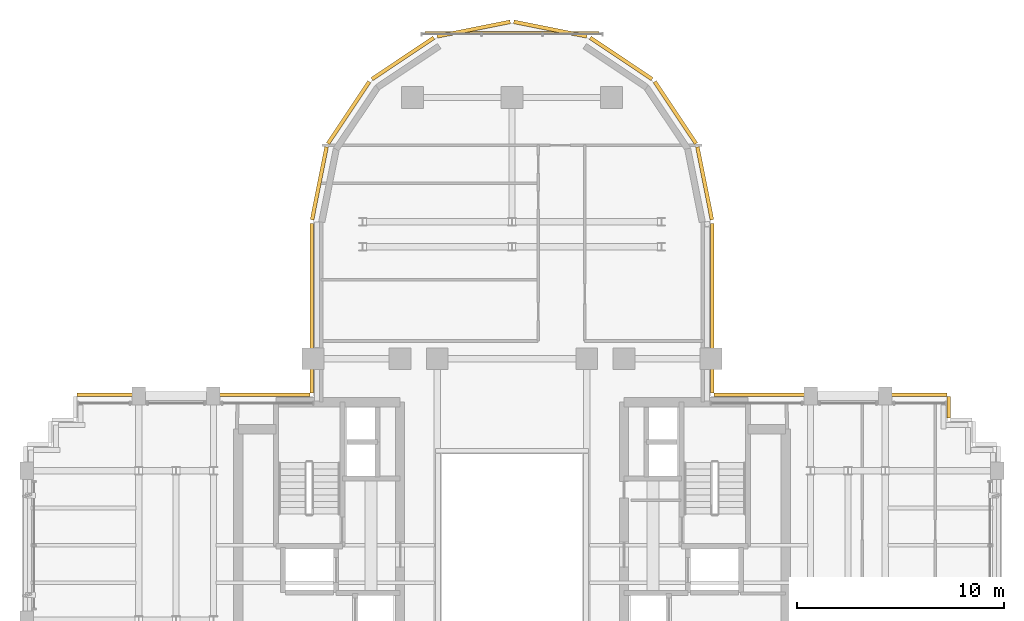
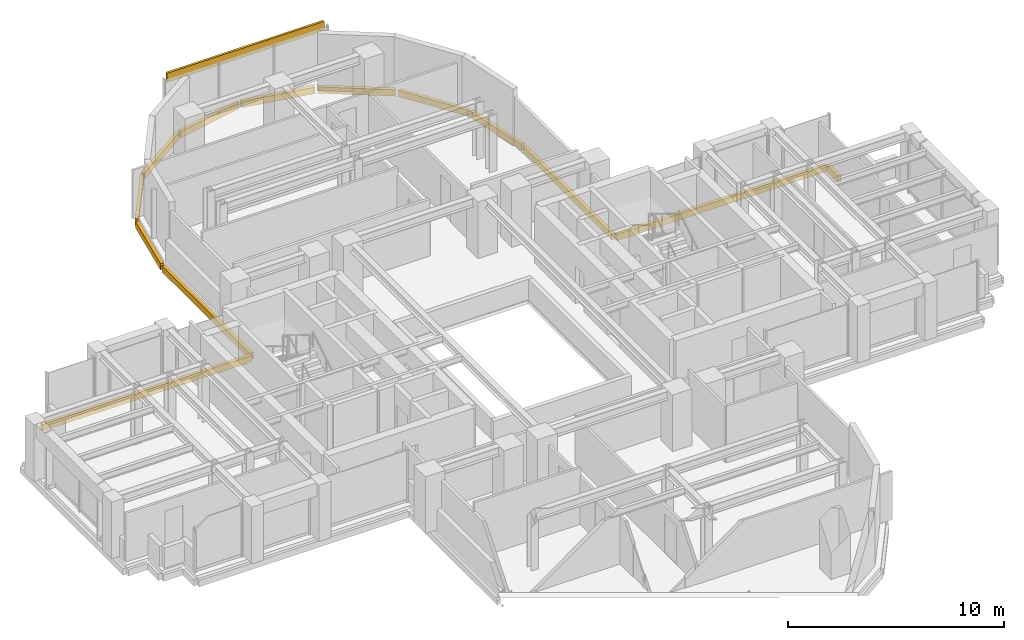
# One storey, part 14 of 14: 14 coverings.
"""IFC4 building model written with IfcOpenShell, lengths in metres."""

from ifc_helpers import new_model, si_unit, direction, frame, origin, origin_2d, place, context, subcontext, project, spatial, rectangle, extrude, source, transform, mapped, material, layer, layer_set, type_object, element, save


model = new_model("IFC4")

# Units and contexts
model_context = context("Model", 3, precision=1e-05, world=origin(), true_north=direction((0.0, 1.0)))
body_context = subcontext(model_context, "Body", "Model", "MODEL_VIEW")
ifc_project = project(units=[si_unit("LENGTHUNIT", "METRE"), si_unit("AREAUNIT", "SQUARE_METRE"), si_unit("VOLUMEUNIT", "CUBIC_METRE"), si_unit("PLANEANGLEUNIT", "RADIAN"), si_unit("MASSUNIT", "GRAM", prefix="KILO")], contexts=[model_context])

# Site, building, storey
site_placement = place(None, origin())
site = spatial("IfcSite", under=ifc_project, at=site_placement, CompositionType="ELEMENT")
building_placement = place(site_placement, origin())
building = spatial("IfcBuilding", under=site, at=building_placement, Name="Keilestroom Media Tower", CompositionType="ELEMENT")
storey_placement = place(building_placement, frame((0.0, 0.0, 134.60009765625)))
storey = spatial("IfcBuildingStorey", under=building, at=storey_placement, Name="L36", CompositionType="ELEMENT", Elevation=134.60009765625)

# Coverings
ifc_material = material(Name="Precast concrete C40/50", Category="concrete")
ifc_layer = layer(ifc_material, 0.1201171875)
ifc_layer_set = layer_set([ifc_layer], Name="Precast concrete C40/50")
covering_type = type_object("IfcCoveringType", Name="Exterior-Precast-Spandrel-Cladding-Panel-120", PredefinedType="CLADDING", material=ifc_layer_set)
shared_shape_1 = source(origin(), body_context, "Body", "SweptSolid", [
    extrude(rectangle(XDim=8.39990234375, YDim=0.1201171875, at=origin_2d()), origin(), (0.0, 0.0, 1.0), 0.52001953125),
])
covering_1_placement = place(storey_placement, frame((0.0, 24.719970703125, 2.68994140625), z_axis=(0.0, 0.0, 1.0), x_axis=(1.0, 0.0, 0.0)))
element("IfcCovering", 1, at=covering_1_placement, inside=storey, type_object=covering_type, Name="L36 Precast Spandrel Cladding N", PredefinedType="CLADDING", context=body_context, shape_type="MappedRepresentation", body=[
    mapped(shared_shape_1, transform((0.0, 0.0, 0.0), x_axis=(1.0, 0.0, 0.0), y_axis=(0.0, 1.0, 0.0), z_axis=(0.0, 0.0, 1.0), scale=1.0)),
])
shared_shape_2 = source(origin(), body_context, "Body", "SweptSolid", [
    extrude(rectangle(XDim=1.02001953125, YDim=0.179931640625, at=origin_2d()), origin(), (0.0, 0.0, 1.0), 0.360107421875),
])
covering_2_placement = place(storey_placement, frame((21.06005859375, 6.659912109375, -0.5400390625), z_axis=(0.0, 0.0, 1.0), x_axis=(0.0, -1.0, 0.0)))
element("IfcCovering", 2, at=covering_2_placement, inside=storey, type_object=covering_type, Name="L36 Precast Slab-Edge Fascia Cornice 38", PredefinedType="CLADDING", context=body_context, shape_type="MappedRepresentation", body=[
    mapped(shared_shape_2, transform((0.0, 0.0, 0.0), x_axis=(1.0, 0.0, 0.0), y_axis=(0.0, 1.0, 0.0), z_axis=(0.0, 0.0, 1.0), scale=1.0)),
])
shared_shape_3 = source(origin(), body_context, "Body", "SweptSolid", [
    extrude(rectangle(XDim=8.166015625, YDim=0.179931640625, at=origin_2d()), origin(), (0.0, 0.0, 1.0), 0.360107421875),
])
for number, where, z_axis, x_axis, name in (
    (3, (-9.659912109375, 11.43310546875, -0.5400390625), (0.0, 0.0, 1.0), (0.0, 1.0, 0.0), "L36 Precast Slab-Edge Fascia Cornice 27"),
    (4, (9.659912109375, 11.43310546875, -0.5400390625), (0.0, 0.0, 1.0), (0.0, -1.0, 0.0), "L36 Precast Slab-Edge Fascia Cornice 36"),
):
    element("IfcCovering", number, at=place(storey_placement, frame(where, z_axis=z_axis, x_axis=x_axis)), inside=storey, type_object=covering_type, Name=name, PredefinedType="CLADDING", context=body_context, shape_type="MappedRepresentation", body=[
        mapped(shared_shape_3, transform((0.0, 0.0, 0.0), x_axis=(1.0, 0.0, 0.0), y_axis=(0.0, 1.0, 0.0), z_axis=(0.0, 0.0, 1.0), scale=1.0)),
    ])
shared_shape_4 = source(origin(), body_context, "Body", "SweptSolid", [
    extrude(rectangle(XDim=3.58349609375, YDim=0.179931640625, at=origin_2d()), origin(), (0.0, 0.0, 1.0), 0.360107421875),
])
for number, where, z_axis, x_axis, name in (
    (5, (-9.29296875, 17.45166015625, -0.5400390625), (0.0, 0.0, 1.0), (0.195098880975, 0.980783577882, 0.0), "L36 Precast Slab-Edge Fascia Cornice 28"),
    (6, (9.29296875, 17.45166015625, -0.5400390625), (0.0, 0.0, 1.0), (0.195098880975, -0.980783577882, 0.0), "L36 Precast Slab-Edge Fascia Cornice 35"),
):
    element("IfcCovering", number, at=place(storey_placement, frame(where, z_axis=z_axis, x_axis=x_axis)), inside=storey, type_object=covering_type, Name=name, PredefinedType="CLADDING", context=body_context, shape_type="MappedRepresentation", body=[
        mapped(shared_shape_4, transform((0.0, 0.0, 0.0), x_axis=(1.0, 0.0, 0.0), y_axis=(0.0, 1.0, 0.0), z_axis=(0.0, 0.0, 1.0), scale=1.0)),
    ])
shared_shape_5 = source(origin(), body_context, "Body", "SweptSolid", [
    extrude(rectangle(XDim=3.589599609375, YDim=0.179931640625, at=origin_2d()), origin(), (0.0, 0.0, 1.0), 0.360107421875),
])
for number, where, z_axis, x_axis, name in (
    (7, (-7.878662109375, 20.8642578125, -0.5400390625), (0.0, 0.0, 1.0), (0.555574586577, 0.831466703332, 0.0), "L36 Precast Slab-Edge Fascia Cornice 29"),
    (8, (-5.264404296875, 23.478515625, -0.5400390625), (0.0, 0.0, 1.0), (0.831466703332, 0.555574586577, 0.0), "L36 Precast Slab-Edge Fascia Cornice 30"),
    (9, (-1.8486328125, 24.893310546875, -0.5400390625), (0.0, 0.0, 1.0), (0.980783577882, 0.195098880975, 0.0), "L36 Precast Slab-Edge Fascia Cornice 31"),
    (10, (1.8486328125, 24.893310546875, -0.5400390625), (0.0, 0.0, 1.0), (0.980783577882, -0.195098880975, 0.0), "L36 Precast Slab-Edge Fascia Cornice 32"),
    (11, (5.264404296875, 23.478515625, -0.5400390625), (0.0, 0.0, 1.0), (0.831466703332, -0.555574586577, 0.0), "L36 Precast Slab-Edge Fascia Cornice 33"),
    (12, (7.878662109375, 20.8642578125, -0.5400390625), (0.0, 0.0, 1.0), (0.555574586577, -0.831466703332, 0.0), "L36 Precast Slab-Edge Fascia Cornice 34"),
):
    element("IfcCovering", number, at=place(storey_placement, frame(where, z_axis=z_axis, x_axis=x_axis)), inside=storey, type_object=covering_type, Name=name, PredefinedType="CLADDING", context=body_context, shape_type="MappedRepresentation", body=[
        mapped(shared_shape_5, transform((0.0, 0.0, 0.0), x_axis=(1.0, 0.0, 0.0), y_axis=(0.0, 1.0, 0.0), z_axis=(0.0, 0.0, 1.0), scale=1.0)),
    ])
shared_shape_6 = source(origin(), body_context, "Body", "SweptSolid", [
    extrude(rectangle(XDim=11.219970703125, YDim=0.179931640625, at=origin_2d()), origin(), (0.0, 0.0, 1.0), 0.360107421875),
])
for number, where, z_axis, x_axis, name in (
    (13, (-15.360107421875, 7.260009765625, -0.5400390625), (0.0, 0.0, 1.0), (1.0, 0.0, 0.0), "L36 Precast Slab-Edge Fascia Cornice 26"),
    (14, (15.360107421875, 7.260009765625, -0.5400390625), (0.0, 0.0, 1.0), (1.0, 0.0, 0.0), "L36 Precast Slab-Edge Fascia Cornice 37"),
):
    element("IfcCovering", number, at=place(storey_placement, frame(where, z_axis=z_axis, x_axis=x_axis)), inside=storey, type_object=covering_type, Name=name, PredefinedType="CLADDING", context=body_context, shape_type="MappedRepresentation", body=[
        mapped(shared_shape_6, transform((0.0, 0.0, 0.0), x_axis=(1.0, 0.0, 0.0), y_axis=(0.0, 1.0, 0.0), z_axis=(0.0, 0.0, 1.0), scale=1.0)),
    ])

save(model, "model.ifc")
